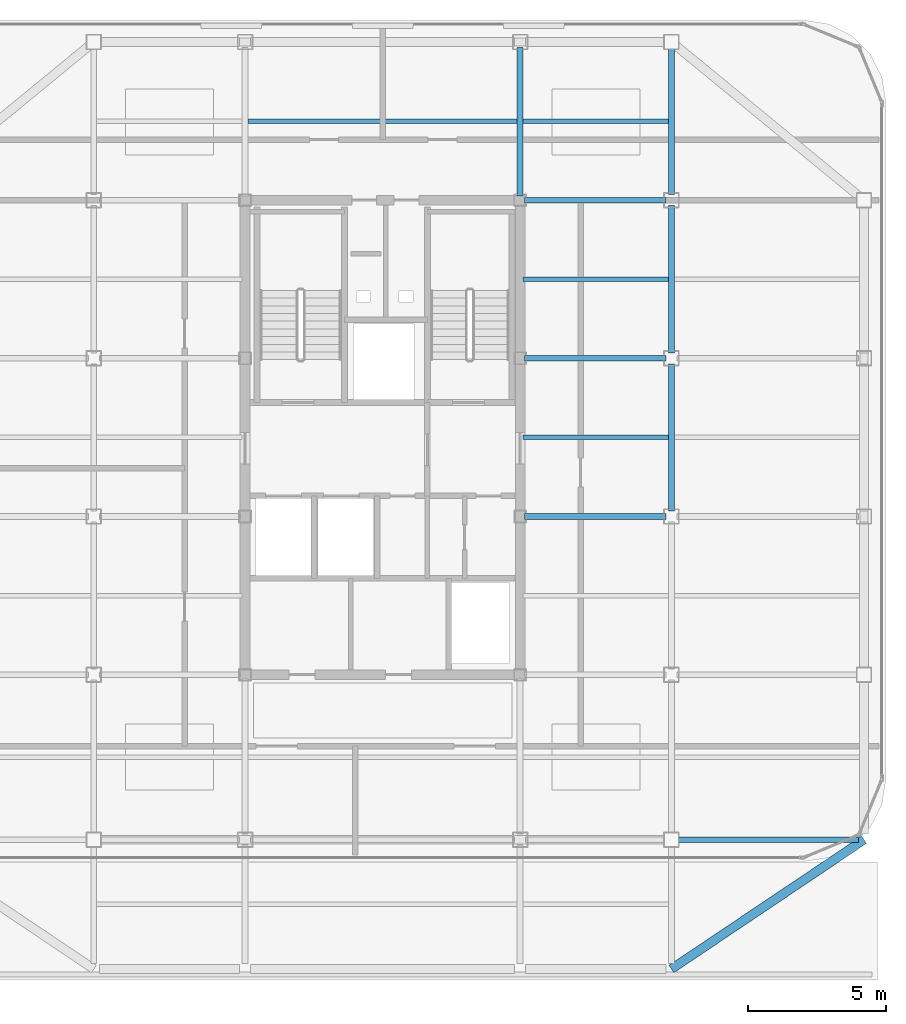
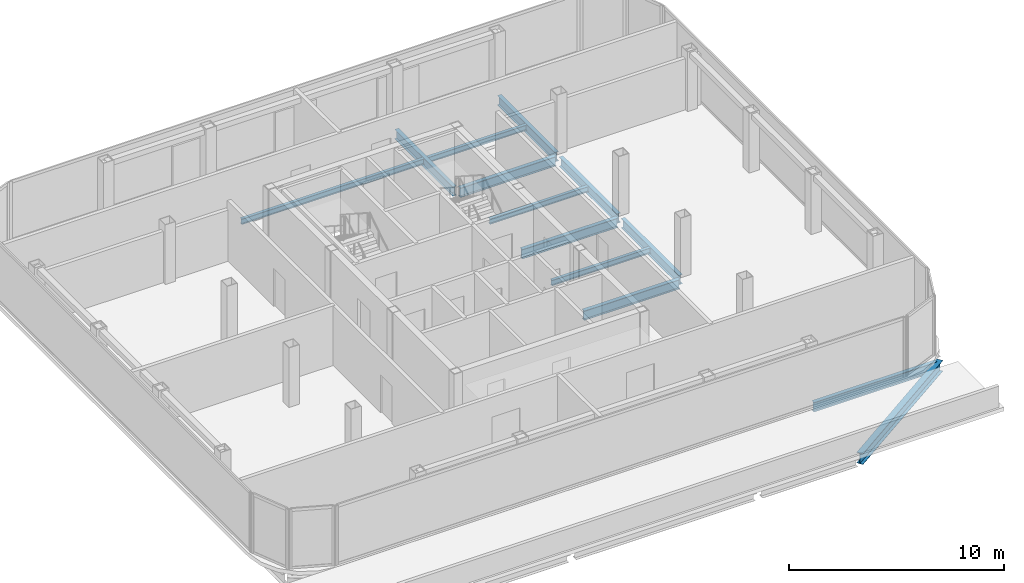
# One storey, part 5 of 15: 13 beams.
"""IFC4 building model written with IfcOpenShell, lengths in metres."""

from ifc_helpers import new_model, si_unit, direction, frame, origin, origin_2d, place, context, subcontext, project, spatial, i_section, extrude, source, transform, mapped, material, material_profile, profile_set, type_object, element, save


model = new_model("IFC4")

# Units and contexts
model_context = context("Model", 3, precision=1e-05, world=origin(), true_north=direction((0.0, 1.0)))
body_context = subcontext(model_context, "Body", "Model", "MODEL_VIEW")
ifc_project = project(units=[si_unit("LENGTHUNIT", "METRE"), si_unit("AREAUNIT", "SQUARE_METRE"), si_unit("VOLUMEUNIT", "CUBIC_METRE"), si_unit("PLANEANGLEUNIT", "RADIAN"), si_unit("MASSUNIT", "GRAM", prefix="KILO")], contexts=[model_context])

# Site, building, storey
site_placement = place(None, origin())
site = spatial("IfcSite", under=ifc_project, at=site_placement, CompositionType="ELEMENT")
building_placement = place(site_placement, origin())
building = spatial("IfcBuilding", under=site, at=building_placement, Name="Kolveth Station Tower", CompositionType="ELEMENT")
storey_placement = place(building_placement, frame((0.0, 0.0, 271.300048828125)))
storey = spatial("IfcBuildingStorey", under=building, at=storey_placement, Name="L78", CompositionType="ELEMENT", Elevation=271.300048828125)

# Beams
ifc_material = material(Name="Steel S355", Category="steel")
ifc_material_profile_1 = material_profile(ifc_material, i_section(OverallWidth=0.323974609375, OverallDepth=0.611083984375, WebThickness=0.0126953125, FlangeThickness=0.01904296875, at=origin_2d()), Name="W610x155")
ifc_profile_set_1 = profile_set([ifc_material_profile_1], Name="Steel S355")
beam_type_1 = type_object("IfcBeamType", Name="Beam_SP2", PredefinedType="SPANDREL", material=ifc_profile_set_1)
shared_shape_1 = source(origin(), body_context, "Body", "SweptSolid", [
    extrude(i_section(OverallWidth=0.323974609375, OverallDepth=0.611083984375, WebThickness=0.0126953125, FlangeThickness=0.01904296875, at=origin_2d()), origin(), (0.0, 0.0, 1.0), 8.431396484375),
])
beam_1_placement = place(storey_placement, frame((34.0, 0.800048828125, -0.525634765625), z_axis=(0.830223811004, 0.557430196206, 0.0), x_axis=(-0.557430196206, 0.830223811004, 0.0)))
element("IfcBeam", 1, at=beam_1_placement, inside=storey, type_object=beam_type_1, Name="L78 Corner Edge Girder BM-L78-CNR-SE", PredefinedType="SPANDREL", context=body_context, shape_type="MappedRepresentation", body=[
    mapped(shared_shape_1, transform((0.0, 0.0, 0.0), x_axis=(1.0, 0.0, 0.0), y_axis=(0.0, 1.0, 0.0), z_axis=(0.0, 0.0, 1.0), scale=1.0)),
])
ifc_material_profile_2 = material_profile(ifc_material, i_section(OverallWidth=0.2099609375, OverallDepth=0.537109375, WebThickness=0.010986328125, FlangeThickness=0.017333984375, at=origin_2d()), Name="W530x101")
ifc_profile_set_2 = profile_set([ifc_material_profile_2], Name="Steel S355")
beam_type_2 = type_object("IfcBeamType", Name="Beam_B6", PredefinedType="BEAM", material=ifc_profile_set_2)
shared_shape_2 = source(origin(), body_context, "Body", "SweptSolid", [
    extrude(i_section(OverallWidth=0.2099609375, OverallDepth=0.537109375, WebThickness=0.010986328125, FlangeThickness=0.017333984375, at=origin_2d()), origin(), (0.0, 0.0, 1.0), 6.60009765625),
])
beam_2_placement = place(storey_placement, frame((34.199951171875, 5.5, -0.488525390625), z_axis=(1.0, 0.0, 0.0), x_axis=(0.0, 1.0, 0.0)))
element("IfcBeam", 2, at=beam_2_placement, inside=storey, type_object=beam_type_2, Name="L78 Primary Girder BM-L78-GY55-5", PredefinedType="BEAM", context=body_context, shape_type="MappedRepresentation", body=[
    mapped(shared_shape_2, transform((0.0, 0.0, 0.0), x_axis=(1.0, 0.0, 0.0), y_axis=(0.0, 1.0, 0.0), z_axis=(0.0, 0.0, 1.0), scale=1.0)),
])
shared_shape_3 = source(origin(), body_context, "Body", "SweptSolid", [
    extrude(i_section(OverallWidth=0.2099609375, OverallDepth=0.537109375, WebThickness=0.010986328125, FlangeThickness=0.017333984375, at=origin_2d()), origin(), (0.0, 0.0, 1.0), 5.14013671875),
])
for number, where, z_axis, x_axis, name in (
    (3, (28.659912109375, 17.25, -0.488525390625), (1.0, 0.0, 0.0), (0.0, 1.0, 0.0), "L78 Primary Girder BM-L78-GY172-4"),
    (4, (28.659912109375, 23.0, -0.488525390625), (1.0, 0.0, 0.0), (0.0, 1.0, 0.0), "L78 Primary Girder BM-L78-GY230-4"),
    (5, (28.659912109375, 28.75, -0.488525390625), (1.0, 0.0, 0.0), (0.0, 1.0, 0.0), "L78 Primary Girder BM-L78-GY287-4"),
):
    element("IfcBeam", number, at=place(storey_placement, frame(where, z_axis=z_axis, x_axis=x_axis)), inside=storey, type_object=beam_type_2, Name=name, PredefinedType="BEAM", context=body_context, shape_type="MappedRepresentation", body=[
        mapped(shared_shape_3, transform((0.0, 0.0, 0.0), x_axis=(1.0, 0.0, 0.0), y_axis=(0.0, 1.0, 0.0), z_axis=(0.0, 0.0, 1.0), scale=1.0)),
    ])
shared_shape_4 = source(origin(), body_context, "Body", "SweptSolid", [
    extrude(i_section(OverallWidth=0.2099609375, OverallDepth=0.537109375, WebThickness=0.010986328125, FlangeThickness=0.017333984375, at=origin_2d()), origin(), (0.0, 0.0, 1.0), 5.35009765625),
])
for number, where, z_axis, x_axis, name in (
    (6, (34.0, 17.449951171875, -0.488525390625), (0.0, 1.0, 0.0), (-1.0, 0.0, 0.0), "L78 Primary Girder BM-L78-GX340-4"),
    (7, (34.0, 23.199951171875, -0.488525390625), (0.0, 1.0, 0.0), (-1.0, 0.0, 0.0), "L78 Primary Girder BM-L78-GX340-5"),
    (8, (34.0, 28.949951171875, -0.488525390625), (0.0, 1.0, 0.0), (-1.0, 0.0, 0.0), "L78 Primary Girder BM-L78-GX340-6"),
):
    element("IfcBeam", number, at=place(storey_placement, frame(where, z_axis=z_axis, x_axis=x_axis)), inside=storey, type_object=beam_type_2, Name=name, PredefinedType="BEAM", context=body_context, shape_type="MappedRepresentation", body=[
        mapped(shared_shape_4, transform((0.0, 0.0, 0.0), x_axis=(1.0, 0.0, 0.0), y_axis=(0.0, 1.0, 0.0), z_axis=(0.0, 0.0, 1.0), scale=1.0)),
    ])
shared_shape_5 = source(origin(), body_context, "Body", "SweptSolid", [
    extrude(i_section(OverallWidth=0.2099609375, OverallDepth=0.537109375, WebThickness=0.010986328125, FlangeThickness=0.017333984375, at=origin_2d()), origin(), (0.0, 0.0, 1.0), 5.39013671875),
])
beam_3_placement = place(storey_placement, frame((28.5, 28.909912109375, -0.488525390625), z_axis=(0.0, 1.0, 0.0), x_axis=(-1.0, 0.0, 0.0)))
element("IfcBeam", 9, at=beam_3_placement, inside=storey, type_object=beam_type_2, Name="L78 Primary Girder BM-L78-GX285-6", PredefinedType="BEAM", context=body_context, shape_type="MappedRepresentation", body=[
    mapped(shared_shape_5, transform((0.0, 0.0, 0.0), x_axis=(1.0, 0.0, 0.0), y_axis=(0.0, 1.0, 0.0), z_axis=(0.0, 0.0, 1.0), scale=1.0)),
])
ifc_material_profile_3 = material_profile(ifc_material, i_section(OverallWidth=0.1650390625, OverallDepth=0.31005859375, WebThickness=0.005859375, FlangeThickness=0.009765625, at=origin_2d()), Name="W310x39")
ifc_profile_set_3 = profile_set([ifc_material_profile_3], Name="Steel S355")
beam_type_3 = type_object("IfcBeamType", Name="Beam_J3", PredefinedType="JOIST", material=ifc_profile_set_3)
shared_shape_6 = source(origin(), body_context, "Body", "SweptSolid", [
    extrude(i_section(OverallWidth=0.1650390625, OverallDepth=0.31005859375, WebThickness=0.005859375, FlangeThickness=0.009765625, at=origin_2d()), origin(), (0.0, 0.0, 1.0), 5.2939453125),
])
for number, where, z_axis, x_axis, name in (
    (10, (28.60302734375, 20.125, -0.375), (1.0, 0.0, 0.0), (0.0, 1.0, 0.0), "L78 Secondary Joist JST-L78-4-4"),
    (11, (28.60302734375, 25.875, -0.375), (1.0, 0.0, 0.0), (0.0, 1.0, 0.0), "L78 Secondary Joist JST-L78-4-5"),
    (12, (28.60302734375, 31.625, -0.375), (1.0, 0.0, 0.0), (0.0, 1.0, 0.0), "L78 Secondary Joist JST-L78-4-6"),
):
    element("IfcBeam", number, at=place(storey_placement, frame(where, z_axis=z_axis, x_axis=x_axis)), inside=storey, type_object=beam_type_3, Name=name, PredefinedType="JOIST", context=body_context, shape_type="MappedRepresentation", body=[
        mapped(shared_shape_6, transform((0.0, 0.0, 0.0), x_axis=(1.0, 0.0, 0.0), y_axis=(0.0, 1.0, 0.0), z_axis=(0.0, 0.0, 1.0), scale=1.0)),
    ])
shared_shape_7 = source(origin(), body_context, "Body", "SweptSolid", [
    extrude(i_section(OverallWidth=0.1650390625, OverallDepth=0.31005859375, WebThickness=0.005859375, FlangeThickness=0.009765625, at=origin_2d()), origin(), (0.0, 0.0, 1.0), 9.7939453125),
])
beam_4_placement = place(storey_placement, frame((18.60302734375, 31.625, -0.375), z_axis=(1.0, 0.0, 0.0), x_axis=(0.0, 1.0, 0.0)))
element("IfcBeam", 13, at=beam_4_placement, inside=storey, type_object=beam_type_3, Name="L78 Secondary Joist JST-L78-3-6", PredefinedType="JOIST", context=body_context, shape_type="MappedRepresentation", body=[
    mapped(shared_shape_7, transform((0.0, 0.0, 0.0), x_axis=(1.0, 0.0, 0.0), y_axis=(0.0, 1.0, 0.0), z_axis=(0.0, 0.0, 1.0), scale=1.0)),
])

save(model, "model.ifc")
